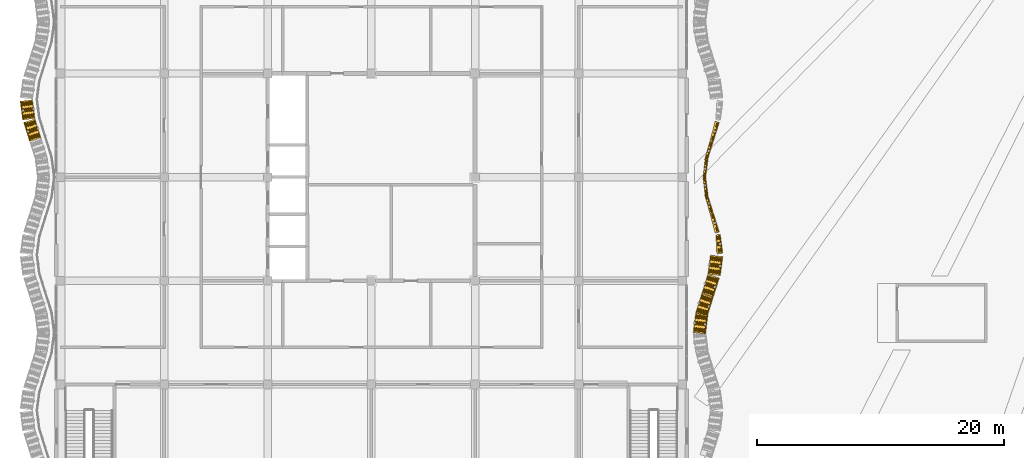
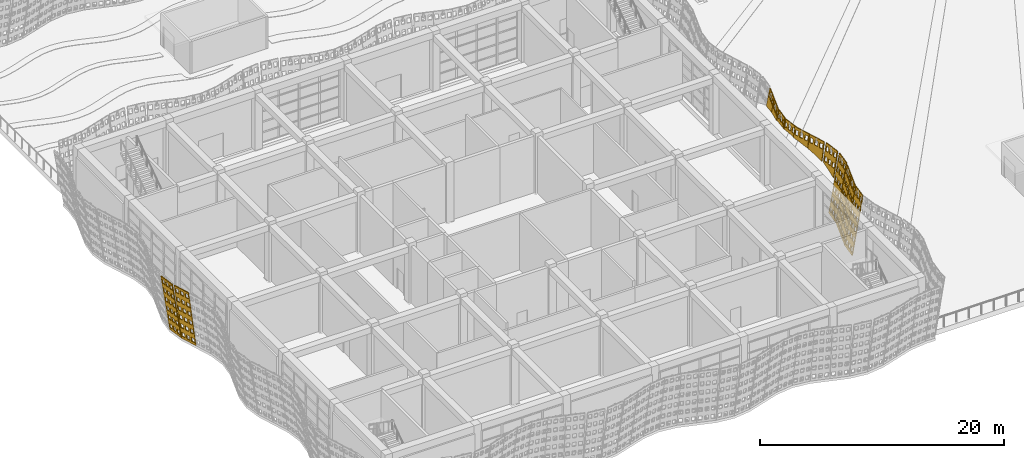
# One storey, part 156 of 210: 13 coverings.
"""IFC4 building model written with IfcOpenShell, lengths in metres."""

from ifc_helpers import new_model, si_unit, direction, frame, origin, place, context, subcontext, project, spatial, polyline, outline, extrude, material, layer, layer_set, type_object, element, save


model = new_model("IFC4")

# Units and contexts
model_context = context("Model", 3, precision=1e-05, world=origin(), true_north=direction((0.0, 1.0)))
body_context = subcontext(model_context, "Body", "Model", "MODEL_VIEW")
ifc_project = project(units=[si_unit("LENGTHUNIT", "METRE"), si_unit("AREAUNIT", "SQUARE_METRE"), si_unit("VOLUMEUNIT", "CUBIC_METRE"), si_unit("PLANEANGLEUNIT", "RADIAN"), si_unit("MASSUNIT", "GRAM", prefix="KILO")], contexts=[model_context])

# Site, building, storey
site_placement = place(None, origin())
site = spatial("IfcSite", under=ifc_project, at=site_placement, CompositionType="ELEMENT")
building_placement = place(site_placement, origin())
building = spatial("IfcBuilding", under=site, at=building_placement, Name="Rain Tree Exposition and Congress Centre", CompositionType="ELEMENT")
storey_placement = place(building_placement, origin())
storey = spatial("IfcBuildingStorey", under=building, at=storey_placement, Name="L00", CompositionType="ELEMENT", Elevation=0.0)

# Coverings
ifc_material = material(Name="Perforated terracotta", Category="masonry")
ifc_layer = layer(ifc_material, 0.080078125)
ifc_layer_set = layer_set([ifc_layer], Name="Perforated terracotta")
covering_type = type_object("IfcCoveringType", Name="Terracotta screen 80", PredefinedType="CLADDING", material=ifc_layer_set)
covering_1_placement = place(storey_placement, frame((51.35009765625, 12.60009765625, 0.0), z_axis=(-0.978899688033, 0.125030801275, 0.161625182136), x_axis=(-0.126696580272, -0.991941518713, 0.0)))
element("IfcCovering", 1, at=covering_1_placement, inside=storey, type_object=covering_type, Name="wing/screen/L00/043", PredefinedType="CLADDING", context=body_context, shape_type="SweptSolid", body=[
    extrude(outline(polyline([(-0.014892578125, 5.813720703125), (-0.014892578125, 0.0), (-1.5732421875, 0.0), (-1.5732421875, 5.813720703125), (-0.014892578125, 5.813720703125)]), holes=[polyline([(-0.11376953125, 0.25), (-0.11376953125, 0.718994140625), (-0.435791015625, 0.718994140625), (-0.435791015625, 0.25), (-0.11376953125, 0.25)]), polyline([(-0.11376953125, 1.218994140625), (-0.11376953125, 1.687744140625), (-0.435791015625, 1.687744140625), (-0.435791015625, 1.218994140625), (-0.11376953125, 1.218994140625)]), polyline([(-0.11376953125, 2.18798828125), (-0.11376953125, 2.65673828125), (-0.435791015625, 2.65673828125), (-0.435791015625, 2.18798828125), (-0.11376953125, 2.18798828125)]), polyline([(-0.11376953125, 3.15673828125), (-0.11376953125, 3.625732421875), (-0.435791015625, 3.625732421875), (-0.435791015625, 3.15673828125), (-0.11376953125, 3.15673828125)]), polyline([(-0.11376953125, 4.125732421875), (-0.11376953125, 4.594482421875), (-0.435791015625, 4.594482421875), (-0.435791015625, 4.125732421875), (-0.11376953125, 4.125732421875)]), polyline([(-0.11376953125, 5.0947265625), (-0.11376953125, 5.5634765625), (-0.435791015625, 5.5634765625), (-0.435791015625, 5.0947265625), (-0.11376953125, 5.0947265625)]), polyline([(-0.633056640625, 0.25), (-0.633056640625, 0.718994140625), (-0.955078125, 0.718994140625), (-0.955078125, 0.25), (-0.633056640625, 0.25)]), polyline([(-0.633056640625, 1.218994140625), (-0.633056640625, 1.687744140625), (-0.955078125, 1.687744140625), (-0.955078125, 1.218994140625), (-0.633056640625, 1.218994140625)]), polyline([(-0.633056640625, 2.18798828125), (-0.633056640625, 2.65673828125), (-0.955078125, 2.65673828125), (-0.955078125, 2.18798828125), (-0.633056640625, 2.18798828125)]), polyline([(-0.633056640625, 3.15673828125), (-0.633056640625, 3.625732421875), (-0.955078125, 3.625732421875), (-0.955078125, 3.15673828125), (-0.633056640625, 3.15673828125)]), polyline([(-0.633056640625, 4.125732421875), (-0.633056640625, 4.594482421875), (-0.955078125, 4.594482421875), (-0.955078125, 4.125732421875), (-0.633056640625, 4.125732421875)]), polyline([(-0.633056640625, 5.0947265625), (-0.633056640625, 5.5634765625), (-0.955078125, 5.5634765625), (-0.955078125, 5.0947265625), (-0.633056640625, 5.0947265625)]), polyline([(-1.152587890625, 0.25), (-1.152587890625, 0.718994140625), (-1.474609375, 0.718994140625), (-1.474609375, 0.25), (-1.152587890625, 0.25)]), polyline([(-1.152587890625, 1.218994140625), (-1.152587890625, 1.687744140625), (-1.474609375, 1.687744140625), (-1.474609375, 1.218994140625), (-1.152587890625, 1.218994140625)]), polyline([(-1.152587890625, 2.18798828125), (-1.152587890625, 2.65673828125), (-1.474609375, 2.65673828125), (-1.474609375, 2.18798828125), (-1.152587890625, 2.18798828125)]), polyline([(-1.152587890625, 3.15673828125), (-1.152587890625, 3.625732421875), (-1.474609375, 3.625732421875), (-1.474609375, 3.15673828125), (-1.152587890625, 3.15673828125)]), polyline([(-1.152587890625, 4.125732421875), (-1.152587890625, 4.594482421875), (-1.474609375, 4.594482421875), (-1.474609375, 4.125732421875), (-1.152587890625, 4.125732421875)]), polyline([(-1.152587890625, 5.0947265625), (-1.152587890625, 5.5634765625), (-1.474609375, 5.5634765625), (-1.474609375, 5.0947265625), (-1.152587890625, 5.0947265625)])]), origin(), (0.0, 0.0, 1.0), 0.080078125),
])
covering_2_placement = place(storey_placement, frame((51.554931640625, 14.175048828125, 0.0), z_axis=(-0.942480618158, 0.295859611525, 0.155555053482), x_axis=(-0.29950542383, -0.954094597562, 0.0)))
element("IfcCovering", 2, at=covering_2_placement, inside=storey, type_object=covering_type, Name="wing/screen/L00/044", PredefinedType="CLADDING", context=body_context, shape_type="SweptSolid", body=[
    extrude(outline(polyline([(-0.014892578125, 5.808349609375), (-0.014892578125, 0.0), (-1.635986328125, 0.0), (-1.635986328125, 5.808349609375), (-0.014892578125, 5.808349609375)]), holes=[polyline([(-0.11767578125, 0.249755859375), (-0.11767578125, 0.71826171875), (-0.45263671875, 0.71826171875), (-0.45263671875, 0.249755859375), (-0.11767578125, 0.249755859375)]), polyline([(-0.11767578125, 1.218017578125), (-0.11767578125, 1.686279296875), (-0.45263671875, 1.686279296875), (-0.45263671875, 1.218017578125), (-0.11767578125, 1.218017578125)]), polyline([(-0.11767578125, 2.18603515625), (-0.11767578125, 2.654296875), (-0.45263671875, 2.654296875), (-0.45263671875, 2.18603515625), (-0.11767578125, 2.18603515625)]), polyline([(-0.11767578125, 3.154052734375), (-0.11767578125, 3.62255859375), (-0.45263671875, 3.62255859375), (-0.45263671875, 3.154052734375), (-0.11767578125, 3.154052734375)]), polyline([(-0.11767578125, 4.1220703125), (-0.11767578125, 4.590576171875), (-0.45263671875, 4.590576171875), (-0.45263671875, 4.1220703125), (-0.11767578125, 4.1220703125)]), polyline([(-0.11767578125, 5.090087890625), (-0.11767578125, 5.55859375), (-0.45263671875, 5.55859375), (-0.45263671875, 5.090087890625), (-0.11767578125, 5.090087890625)]), polyline([(-0.657958984375, 0.249755859375), (-0.657958984375, 0.71826171875), (-0.992919921875, 0.71826171875), (-0.992919921875, 0.249755859375), (-0.657958984375, 0.249755859375)]), polyline([(-0.657958984375, 1.218017578125), (-0.657958984375, 1.686279296875), (-0.992919921875, 1.686279296875), (-0.992919921875, 1.218017578125), (-0.657958984375, 1.218017578125)]), polyline([(-0.657958984375, 2.18603515625), (-0.657958984375, 2.654296875), (-0.992919921875, 2.654296875), (-0.992919921875, 2.18603515625), (-0.657958984375, 2.18603515625)]), polyline([(-0.657958984375, 3.154052734375), (-0.657958984375, 3.62255859375), (-0.992919921875, 3.62255859375), (-0.992919921875, 3.154052734375), (-0.657958984375, 3.154052734375)]), polyline([(-0.657958984375, 4.1220703125), (-0.657958984375, 4.590576171875), (-0.992919921875, 4.590576171875), (-0.992919921875, 4.1220703125), (-0.657958984375, 4.1220703125)]), polyline([(-0.657958984375, 5.090087890625), (-0.657958984375, 5.55859375), (-0.992919921875, 5.55859375), (-0.992919921875, 5.090087890625), (-0.657958984375, 5.090087890625)]), polyline([(-1.1982421875, 0.249755859375), (-1.1982421875, 0.71826171875), (-1.533203125, 0.71826171875), (-1.533203125, 0.249755859375), (-1.1982421875, 0.249755859375)]), polyline([(-1.1982421875, 1.218017578125), (-1.1982421875, 1.686279296875), (-1.533203125, 1.686279296875), (-1.533203125, 1.218017578125), (-1.1982421875, 1.218017578125)]), polyline([(-1.1982421875, 2.18603515625), (-1.1982421875, 2.654296875), (-1.533203125, 2.654296875), (-1.533203125, 2.18603515625), (-1.1982421875, 2.18603515625)]), polyline([(-1.1982421875, 3.154052734375), (-1.1982421875, 3.62255859375), (-1.533203125, 3.62255859375), (-1.533203125, 3.154052734375), (-1.1982421875, 3.154052734375)]), polyline([(-1.1982421875, 4.1220703125), (-1.1982421875, 4.590576171875), (-1.533203125, 4.590576171875), (-1.533203125, 4.1220703125), (-1.1982421875, 4.1220703125)]), polyline([(-1.1982421875, 5.090087890625), (-1.1982421875, 5.55859375), (-1.533203125, 5.55859375), (-1.533203125, 5.090087890625), (-1.1982421875, 5.090087890625)])]), origin(), (0.0, 0.0, 1.0), 0.080078125),
])
covering_3_placement = place(storey_placement, frame((52.050048828125, 15.75, 0.0), z_axis=(-0.942480618158, 0.295859611525, 0.155555053482), x_axis=(-0.29950542383, -0.954094597562, 0.0)))
element("IfcCovering", 3, at=covering_3_placement, inside=storey, type_object=covering_type, Name="wing/screen/L00/045", PredefinedType="CLADDING", context=body_context, shape_type="SweptSolid", body=[
    extrude(outline(polyline([(-0.014892578125, 5.808349609375), (-0.014892578125, 0.0), (-1.62890625, 0.0), (-1.62890625, 5.808349609375), (-0.014892578125, 5.808349609375)]), holes=[polyline([(-0.1171875, 0.249755859375), (-0.1171875, 0.71826171875), (-0.45068359375, 0.71826171875), (-0.45068359375, 0.249755859375), (-0.1171875, 0.249755859375)]), polyline([(-0.1171875, 1.218017578125), (-0.1171875, 1.686279296875), (-0.45068359375, 1.686279296875), (-0.45068359375, 1.218017578125), (-0.1171875, 1.218017578125)]), polyline([(-0.1171875, 2.18603515625), (-0.1171875, 2.654296875), (-0.45068359375, 2.654296875), (-0.45068359375, 2.18603515625), (-0.1171875, 2.18603515625)]), polyline([(-0.1171875, 3.154052734375), (-0.1171875, 3.62255859375), (-0.45068359375, 3.62255859375), (-0.45068359375, 3.154052734375), (-0.1171875, 3.154052734375)]), polyline([(-0.1171875, 4.1220703125), (-0.1171875, 4.590576171875), (-0.45068359375, 4.590576171875), (-0.45068359375, 4.1220703125), (-0.1171875, 4.1220703125)]), polyline([(-0.1171875, 5.090087890625), (-0.1171875, 5.55859375), (-0.45068359375, 5.55859375), (-0.45068359375, 5.090087890625), (-0.1171875, 5.090087890625)]), polyline([(-0.6552734375, 0.249755859375), (-0.6552734375, 0.71826171875), (-0.98876953125, 0.71826171875), (-0.98876953125, 0.249755859375), (-0.6552734375, 0.249755859375)]), polyline([(-0.6552734375, 1.218017578125), (-0.6552734375, 1.686279296875), (-0.98876953125, 1.686279296875), (-0.98876953125, 1.218017578125), (-0.6552734375, 1.218017578125)]), polyline([(-0.6552734375, 2.18603515625), (-0.6552734375, 2.654296875), (-0.98876953125, 2.654296875), (-0.98876953125, 2.18603515625), (-0.6552734375, 2.18603515625)]), polyline([(-0.6552734375, 3.154052734375), (-0.6552734375, 3.62255859375), (-0.98876953125, 3.62255859375), (-0.98876953125, 3.154052734375), (-0.6552734375, 3.154052734375)]), polyline([(-0.6552734375, 4.1220703125), (-0.6552734375, 4.590576171875), (-0.98876953125, 4.590576171875), (-0.98876953125, 4.1220703125), (-0.6552734375, 4.1220703125)]), polyline([(-0.6552734375, 5.090087890625), (-0.6552734375, 5.55859375), (-0.98876953125, 5.55859375), (-0.98876953125, 5.090087890625), (-0.6552734375, 5.090087890625)]), polyline([(-1.193115234375, 0.249755859375), (-1.193115234375, 0.71826171875), (-1.526611328125, 0.71826171875), (-1.526611328125, 0.249755859375), (-1.193115234375, 0.249755859375)]), polyline([(-1.193115234375, 1.218017578125), (-1.193115234375, 1.686279296875), (-1.526611328125, 1.686279296875), (-1.526611328125, 1.218017578125), (-1.193115234375, 1.218017578125)]), polyline([(-1.193115234375, 2.18603515625), (-1.193115234375, 2.654296875), (-1.526611328125, 2.654296875), (-1.526611328125, 2.18603515625), (-1.193115234375, 2.18603515625)]), polyline([(-1.193115234375, 3.154052734375), (-1.193115234375, 3.62255859375), (-1.526611328125, 3.62255859375), (-1.526611328125, 3.154052734375), (-1.193115234375, 3.154052734375)]), polyline([(-1.193115234375, 4.1220703125), (-1.193115234375, 4.590576171875), (-1.526611328125, 4.590576171875), (-1.526611328125, 4.1220703125), (-1.193115234375, 4.1220703125)]), polyline([(-1.193115234375, 5.090087890625), (-1.193115234375, 5.55859375), (-1.526611328125, 5.55859375), (-1.526611328125, 5.090087890625), (-1.193115234375, 5.090087890625)])]), origin(), (0.0, 0.0, 1.0), 0.080078125),
])
covering_4_placement = place(storey_placement, frame((52.544921875, 17.324951171875, 0.0), z_axis=(-0.978391994594, 0.12841394929, 0.162046174105), x_axis=(-0.130133906157, -0.991496427865, 0.0)))
element("IfcCovering", 4, at=covering_4_placement, inside=storey, type_object=covering_type, Name="wing/screen/L00/046", PredefinedType="CLADDING", context=body_context, shape_type="SweptSolid", body=[
    extrude(outline(polyline([(-0.02197265625, 5.813720703125), (-0.02197265625, 0.0), (-1.56298828125, 0.0), (-1.56298828125, 5.813720703125), (-0.02197265625, 5.813720703125)]), holes=[polyline([(-0.11962890625, 0.25), (-0.11962890625, 0.718994140625), (-0.43798828125, 0.718994140625), (-0.43798828125, 0.25), (-0.11962890625, 0.25)]), polyline([(-0.11962890625, 1.218994140625), (-0.11962890625, 1.687744140625), (-0.43798828125, 1.687744140625), (-0.43798828125, 1.218994140625), (-0.11962890625, 1.218994140625)]), polyline([(-0.11962890625, 2.18798828125), (-0.11962890625, 2.65673828125), (-0.43798828125, 2.65673828125), (-0.43798828125, 2.18798828125), (-0.11962890625, 2.18798828125)]), polyline([(-0.11962890625, 3.15673828125), (-0.11962890625, 3.625732421875), (-0.43798828125, 3.625732421875), (-0.43798828125, 3.15673828125), (-0.11962890625, 3.15673828125)]), polyline([(-0.11962890625, 4.125732421875), (-0.11962890625, 4.594482421875), (-0.43798828125, 4.594482421875), (-0.43798828125, 4.125732421875), (-0.11962890625, 4.125732421875)]), polyline([(-0.11962890625, 5.0947265625), (-0.11962890625, 5.5634765625), (-0.43798828125, 5.5634765625), (-0.43798828125, 5.0947265625), (-0.11962890625, 5.0947265625)]), polyline([(-0.63330078125, 0.25), (-0.63330078125, 0.718994140625), (-0.95166015625, 0.718994140625), (-0.95166015625, 0.25), (-0.63330078125, 0.25)]), polyline([(-0.63330078125, 1.218994140625), (-0.63330078125, 1.687744140625), (-0.95166015625, 1.687744140625), (-0.95166015625, 1.218994140625), (-0.63330078125, 1.218994140625)]), polyline([(-0.63330078125, 2.18798828125), (-0.63330078125, 2.65673828125), (-0.95166015625, 2.65673828125), (-0.95166015625, 2.18798828125), (-0.63330078125, 2.18798828125)]), polyline([(-0.63330078125, 3.15673828125), (-0.63330078125, 3.625732421875), (-0.95166015625, 3.625732421875), (-0.95166015625, 3.15673828125), (-0.63330078125, 3.15673828125)]), polyline([(-0.63330078125, 4.125732421875), (-0.63330078125, 4.594482421875), (-0.95166015625, 4.594482421875), (-0.95166015625, 4.125732421875), (-0.63330078125, 4.125732421875)]), polyline([(-0.63330078125, 5.0947265625), (-0.63330078125, 5.5634765625), (-0.95166015625, 5.5634765625), (-0.95166015625, 5.0947265625), (-0.63330078125, 5.0947265625)]), polyline([(-1.146728515625, 0.25), (-1.146728515625, 0.718994140625), (-1.46533203125, 0.718994140625), (-1.46533203125, 0.25), (-1.146728515625, 0.25)]), polyline([(-1.146728515625, 1.218994140625), (-1.146728515625, 1.687744140625), (-1.46533203125, 1.687744140625), (-1.46533203125, 1.218994140625), (-1.146728515625, 1.218994140625)]), polyline([(-1.146728515625, 2.18798828125), (-1.146728515625, 2.65673828125), (-1.46533203125, 2.65673828125), (-1.46533203125, 2.18798828125), (-1.146728515625, 2.18798828125)]), polyline([(-1.146728515625, 3.15673828125), (-1.146728515625, 3.625732421875), (-1.46533203125, 3.625732421875), (-1.46533203125, 3.15673828125), (-1.146728515625, 3.15673828125)]), polyline([(-1.146728515625, 4.125732421875), (-1.146728515625, 4.594482421875), (-1.46533203125, 4.594482421875), (-1.46533203125, 4.125732421875), (-1.146728515625, 4.125732421875)]), polyline([(-1.146728515625, 5.0947265625), (-1.146728515625, 5.5634765625), (-1.46533203125, 5.5634765625), (-1.46533203125, 5.0947265625), (-1.146728515625, 5.0947265625)])]), origin(), (0.0, 0.0, 1.0), 0.079833984375),
])
covering_5_placement = place(storey_placement, frame((52.75, 18.89990234375, 0.0), z_axis=(-0.978899688033, -0.125030801275, 0.161625182136), x_axis=(0.126696580272, -0.991941518713, 0.0)))
element("IfcCovering", 5, at=covering_5_placement, inside=storey, type_object=covering_type, Name="wing/screen/L00/047", PredefinedType="CLADDING", context=body_context, shape_type="SweptSolid", body=[
    extrude(outline(polyline([(-1.56640625, 5.813720703125), (-0.025390625, 5.813720703125), (-0.025390625, 3.280517578125), (-0.794189453125, 3.66064453125), (-1.56640625, 3.981689453125), (-1.56640625, 5.813720703125)]), holes=[polyline([(-0.123046875, 4.125732421875), (-0.123046875, 4.594482421875), (-0.44140625, 4.594482421875), (-0.44140625, 4.125732421875), (-0.123046875, 4.125732421875)]), polyline([(-0.123046875, 5.0947265625), (-0.123046875, 5.5634765625), (-0.44140625, 5.5634765625), (-0.44140625, 5.0947265625), (-0.123046875, 5.0947265625)]), polyline([(-0.63671875, 4.125732421875), (-0.63671875, 4.594482421875), (-0.955078125, 4.594482421875), (-0.955078125, 4.125732421875), (-0.63671875, 4.125732421875)]), polyline([(-0.63671875, 5.0947265625), (-0.63671875, 5.5634765625), (-0.955078125, 5.5634765625), (-0.955078125, 5.0947265625), (-0.63671875, 5.0947265625)]), polyline([(-1.150146484375, 4.125732421875), (-1.150146484375, 4.594482421875), (-1.46875, 4.594482421875), (-1.46875, 4.125732421875), (-1.150146484375, 4.125732421875)]), polyline([(-1.150146484375, 5.0947265625), (-1.150146484375, 5.5634765625), (-1.46875, 5.5634765625), (-1.46875, 5.0947265625), (-1.150146484375, 5.0947265625)])]), origin(), (0.0, 0.0, 1.0), 0.080078125),
])
covering_6_placement = place(storey_placement, frame((52.544921875, 20.47509765625, 0.0), z_axis=(-0.942480618158, -0.295859611525, 0.155555053482), x_axis=(0.29950542383, -0.954094597562, 0.0)))
element("IfcCovering", 6, at=covering_6_placement, inside=storey, type_object=covering_type, Name="wing/screen/L00/048", PredefinedType="CLADDING", context=body_context, shape_type="SweptSolid", body=[
    extrude(outline(polyline([(-1.635986328125, 5.808349609375), (-0.02197265625, 5.808349609375), (-0.02197265625, 3.994384765625), (-0.825439453125, 4.259765625), (-1.635986328125, 4.474853515625), (-1.635986328125, 5.808349609375)]), holes=[polyline([(-0.124267578125, 5.090087890625), (-0.124267578125, 5.55859375), (-0.457763671875, 5.55859375), (-0.457763671875, 5.090087890625), (-0.124267578125, 5.090087890625)]), polyline([(-0.662109375, 5.090087890625), (-0.662109375, 5.55859375), (-0.995849609375, 5.55859375), (-0.995849609375, 5.090087890625), (-0.662109375, 5.090087890625)]), polyline([(-1.2001953125, 5.090087890625), (-1.2001953125, 5.55859375), (-1.53369140625, 5.55859375), (-1.53369140625, 5.090087890625), (-1.2001953125, 5.090087890625)])]), origin(), (0.0, 0.0, 1.0), 0.080078125),
])
covering_7_placement = place(storey_placement, frame((52.050048828125, 22.050048828125, 0.0), z_axis=(-0.942480618158, -0.295859611525, 0.155555053482), x_axis=(0.29950542383, -0.954094597562, 0.0)))
element("IfcCovering", 7, at=covering_7_placement, inside=storey, type_object=covering_type, Name="wing/screen/L00/049", PredefinedType="CLADDING", context=body_context, shape_type="SweptSolid", body=[
    extrude(outline(polyline([(-1.635986328125, 5.808349609375), (-0.014892578125, 5.808349609375), (-0.014892578125, 4.481689453125), (-0.825439453125, 4.646484375), (-1.635986328125, 4.762939453125), (-1.635986328125, 5.808349609375)]), holes=[polyline([(-0.11767578125, 5.090087890625), (-0.11767578125, 5.55859375), (-0.45263671875, 5.55859375), (-0.45263671875, 5.090087890625), (-0.11767578125, 5.090087890625)]), polyline([(-0.657958984375, 5.090087890625), (-0.657958984375, 5.55859375), (-0.992919921875, 5.55859375), (-0.992919921875, 5.090087890625), (-0.657958984375, 5.090087890625)]), polyline([(-1.1982421875, 5.090087890625), (-1.1982421875, 5.55859375), (-1.533203125, 5.55859375), (-1.533203125, 5.090087890625), (-1.1982421875, 5.090087890625)])]), origin(), (0.0, 0.0, 1.0), 0.080078125),
])
covering_8_placement = place(storey_placement, frame((51.554931640625, 23.625, 0.0), z_axis=(-0.978391994594, -0.12841394929, 0.162046174105), x_axis=(0.130133906157, -0.991496427865, 0.0)))
element("IfcCovering", 8, at=covering_8_placement, inside=storey, type_object=covering_type, Name="wing/screen/L00/050", PredefinedType="CLADDING", context=body_context, shape_type="SweptSolid", body=[
    extrude(outline(polyline([(-1.5732421875, 5.813720703125), (-0.014892578125, 5.813720703125), (-0.014892578125, 4.771240234375), (-0.794189453125, 4.840576171875), (-1.5732421875, 4.863525390625), (-1.5732421875, 5.813720703125)]), holes=[polyline([(-0.11376953125, 5.0947265625), (-0.11376953125, 5.5634765625), (-0.435791015625, 5.5634765625), (-0.435791015625, 5.0947265625), (-0.11376953125, 5.0947265625)]), polyline([(-0.633056640625, 5.0947265625), (-0.633056640625, 5.5634765625), (-0.955078125, 5.5634765625), (-0.955078125, 5.0947265625), (-0.633056640625, 5.0947265625)]), polyline([(-1.152587890625, 5.0947265625), (-1.152587890625, 5.5634765625), (-1.474609375, 5.5634765625), (-1.474609375, 5.0947265625), (-1.152587890625, 5.0947265625)])]), origin(), (0.0, 0.0, 1.0), 0.079833984375),
])
covering_9_placement = place(storey_placement, frame((51.35009765625, 25.199951171875, 0.0), z_axis=(-0.978522114732, 0.1280309309, 0.161562841373), x_axis=(-0.129735338481, -0.991548658387, 0.0)))
element("IfcCovering", 9, at=covering_9_placement, inside=storey, type_object=covering_type, Name="wing/screen/L00/051", PredefinedType="CLADDING", context=body_context, shape_type="SweptSolid", body=[
    extrude(outline(polyline([(-1.5732421875, 5.813720703125), (-0.014892578125, 5.813720703125), (-0.014892578125, 4.863525390625), (-0.794189453125, 4.840576171875), (-1.5732421875, 4.771240234375), (-1.5732421875, 5.813720703125)]), holes=[polyline([(-0.11376953125, 5.0947265625), (-0.11376953125, 5.5634765625), (-0.435791015625, 5.5634765625), (-0.435791015625, 5.0947265625), (-0.11376953125, 5.0947265625)]), polyline([(-0.633056640625, 5.0947265625), (-0.633056640625, 5.5634765625), (-0.955078125, 5.5634765625), (-0.955078125, 5.0947265625), (-0.633056640625, 5.0947265625)]), polyline([(-1.152587890625, 5.0947265625), (-1.152587890625, 5.5634765625), (-1.474609375, 5.5634765625), (-1.474609375, 5.0947265625), (-1.152587890625, 5.0947265625)])]), origin(), (0.0, 0.0, 1.0), 0.080078125),
])
covering_10_placement = place(storey_placement, frame((51.554931640625, 26.77490234375, 0.0), z_axis=(-0.942480618158, 0.295859611525, 0.155555053482), x_axis=(-0.29950542383, -0.954094597562, 0.0)))
element("IfcCovering", 10, at=covering_10_placement, inside=storey, type_object=covering_type, Name="wing/screen/L00/052", PredefinedType="CLADDING", context=body_context, shape_type="SweptSolid", body=[
    extrude(outline(polyline([(-1.635986328125, 5.808349609375), (-0.014892578125, 5.808349609375), (-0.014892578125, 4.762939453125), (-0.825439453125, 4.646484375), (-1.635986328125, 4.481689453125), (-1.635986328125, 5.808349609375)]), holes=[polyline([(-0.11767578125, 5.090087890625), (-0.11767578125, 5.55859375), (-0.45263671875, 5.55859375), (-0.45263671875, 5.090087890625), (-0.11767578125, 5.090087890625)]), polyline([(-0.657958984375, 5.090087890625), (-0.657958984375, 5.55859375), (-0.992919921875, 5.55859375), (-0.992919921875, 5.090087890625), (-0.657958984375, 5.090087890625)]), polyline([(-1.1982421875, 5.090087890625), (-1.1982421875, 5.55859375), (-1.533203125, 5.55859375), (-1.533203125, 5.090087890625), (-1.1982421875, 5.090087890625)])]), origin(), (0.0, 0.0, 1.0), 0.080078125),
])
covering_11_placement = place(storey_placement, frame((52.050048828125, 28.35009765625, 0.0), z_axis=(-0.942480618158, 0.295859611525, 0.155555053482), x_axis=(-0.29950542383, -0.954094597562, 0.0)))
element("IfcCovering", 11, at=covering_11_placement, inside=storey, type_object=covering_type, Name="wing/screen/L00/053", PredefinedType="CLADDING", context=body_context, shape_type="SweptSolid", body=[
    extrude(outline(polyline([(-1.62890625, 5.808349609375), (-0.014892578125, 5.808349609375), (-0.014892578125, 4.474853515625), (-0.825439453125, 4.259765625), (-1.62890625, 3.994384765625), (-1.62890625, 5.808349609375)]), holes=[polyline([(-0.1171875, 5.090087890625), (-0.1171875, 5.55859375), (-0.45068359375, 5.55859375), (-0.45068359375, 5.090087890625), (-0.1171875, 5.090087890625)]), polyline([(-0.6552734375, 5.090087890625), (-0.6552734375, 5.55859375), (-0.98876953125, 5.55859375), (-0.98876953125, 5.090087890625), (-0.6552734375, 5.090087890625)]), polyline([(-1.193115234375, 5.090087890625), (-1.193115234375, 5.55859375), (-1.526611328125, 5.55859375), (-1.526611328125, 5.090087890625), (-1.193115234375, 5.090087890625)])]), origin(), (0.0, 0.0, 1.0), 0.080078125),
])
covering_12_placement = place(storey_placement, frame((-2.35009765625, 31.5, 0.0), z_axis=(0.978522114732, 0.1280309309, 0.161562841373), x_axis=(-0.129735338481, 0.991548658387, 0.0)))
element("IfcCovering", 12, at=covering_12_placement, inside=storey, type_object=covering_type, Name="wing/screen/L00/115", PredefinedType="CLADDING", context=body_context, shape_type="SweptSolid", body=[
    extrude(outline(polyline([(-1.56640625, 0.0), (-1.56640625, 5.813720703125), (-0.025390625, 5.813720703125), (-0.025390625, 0.0), (-1.56640625, 0.0)]), holes=[polyline([(-0.123046875, 0.25), (-0.123046875, 0.718994140625), (-0.44140625, 0.718994140625), (-0.44140625, 0.25), (-0.123046875, 0.25)]), polyline([(-0.123046875, 1.218994140625), (-0.123046875, 1.687744140625), (-0.44140625, 1.687744140625), (-0.44140625, 1.218994140625), (-0.123046875, 1.218994140625)]), polyline([(-0.123046875, 2.18798828125), (-0.123046875, 2.65673828125), (-0.44140625, 2.65673828125), (-0.44140625, 2.18798828125), (-0.123046875, 2.18798828125)]), polyline([(-0.123046875, 3.15673828125), (-0.123046875, 3.625732421875), (-0.44140625, 3.625732421875), (-0.44140625, 3.15673828125), (-0.123046875, 3.15673828125)]), polyline([(-0.123046875, 4.125732421875), (-0.123046875, 4.594482421875), (-0.44140625, 4.594482421875), (-0.44140625, 4.125732421875), (-0.123046875, 4.125732421875)]), polyline([(-0.123046875, 5.0947265625), (-0.123046875, 5.5634765625), (-0.44140625, 5.5634765625), (-0.44140625, 5.0947265625), (-0.123046875, 5.0947265625)]), polyline([(-0.63671875, 0.25), (-0.63671875, 0.718994140625), (-0.955078125, 0.718994140625), (-0.955078125, 0.25), (-0.63671875, 0.25)]), polyline([(-0.63671875, 1.218994140625), (-0.63671875, 1.687744140625), (-0.955078125, 1.687744140625), (-0.955078125, 1.218994140625), (-0.63671875, 1.218994140625)]), polyline([(-0.63671875, 2.18798828125), (-0.63671875, 2.65673828125), (-0.955078125, 2.65673828125), (-0.955078125, 2.18798828125), (-0.63671875, 2.18798828125)]), polyline([(-0.63671875, 3.15673828125), (-0.63671875, 3.625732421875), (-0.955078125, 3.625732421875), (-0.955078125, 3.15673828125), (-0.63671875, 3.15673828125)]), polyline([(-0.63671875, 4.125732421875), (-0.63671875, 4.594482421875), (-0.955078125, 4.594482421875), (-0.955078125, 4.125732421875), (-0.63671875, 4.125732421875)]), polyline([(-0.63671875, 5.0947265625), (-0.63671875, 5.5634765625), (-0.955078125, 5.5634765625), (-0.955078125, 5.0947265625), (-0.63671875, 5.0947265625)]), polyline([(-1.150146484375, 0.25), (-1.150146484375, 0.718994140625), (-1.46875, 0.718994140625), (-1.46875, 0.25), (-1.150146484375, 0.25)]), polyline([(-1.150146484375, 1.218994140625), (-1.150146484375, 1.687744140625), (-1.46875, 1.687744140625), (-1.46875, 1.218994140625), (-1.150146484375, 1.218994140625)]), polyline([(-1.150146484375, 2.18798828125), (-1.150146484375, 2.65673828125), (-1.46875, 2.65673828125), (-1.46875, 2.18798828125), (-1.150146484375, 2.18798828125)]), polyline([(-1.150146484375, 3.15673828125), (-1.150146484375, 3.625732421875), (-1.46875, 3.625732421875), (-1.46875, 3.15673828125), (-1.150146484375, 3.15673828125)]), polyline([(-1.150146484375, 4.125732421875), (-1.150146484375, 4.594482421875), (-1.46875, 4.594482421875), (-1.46875, 4.125732421875), (-1.150146484375, 4.125732421875)]), polyline([(-1.150146484375, 5.0947265625), (-1.150146484375, 5.5634765625), (-1.46875, 5.5634765625), (-1.46875, 5.0947265625), (-1.150146484375, 5.0947265625)])]), origin(), (0.0, 0.0, 1.0), 0.080078125),
])
covering_13_placement = place(storey_placement, frame((-2.14501953125, 29.925048828125, 0.0), z_axis=(0.942480618158, 0.295859611525, 0.155555053482), x_axis=(-0.29950542383, 0.954094597562, 0.0)))
element("IfcCovering", 13, at=covering_13_placement, inside=storey, type_object=covering_type, Name="wing/screen/L00/116", PredefinedType="CLADDING", context=body_context, shape_type="SweptSolid", body=[
    extrude(outline(polyline([(-1.635986328125, 0.0), (-1.635986328125, 5.808349609375), (-0.02197265625, 5.808349609375), (-0.02197265625, 0.0), (-1.635986328125, 0.0)]), holes=[polyline([(-0.124267578125, 0.249755859375), (-0.124267578125, 0.71826171875), (-0.457763671875, 0.71826171875), (-0.457763671875, 0.249755859375), (-0.124267578125, 0.249755859375)]), polyline([(-0.124267578125, 1.218017578125), (-0.124267578125, 1.686279296875), (-0.457763671875, 1.686279296875), (-0.457763671875, 1.218017578125), (-0.124267578125, 1.218017578125)]), polyline([(-0.124267578125, 2.18603515625), (-0.124267578125, 2.654296875), (-0.457763671875, 2.654296875), (-0.457763671875, 2.18603515625), (-0.124267578125, 2.18603515625)]), polyline([(-0.124267578125, 3.154052734375), (-0.124267578125, 3.62255859375), (-0.457763671875, 3.62255859375), (-0.457763671875, 3.154052734375), (-0.124267578125, 3.154052734375)]), polyline([(-0.124267578125, 4.1220703125), (-0.124267578125, 4.590576171875), (-0.457763671875, 4.590576171875), (-0.457763671875, 4.1220703125), (-0.124267578125, 4.1220703125)]), polyline([(-0.124267578125, 5.090087890625), (-0.124267578125, 5.55859375), (-0.457763671875, 5.55859375), (-0.457763671875, 5.090087890625), (-0.124267578125, 5.090087890625)]), polyline([(-0.662109375, 0.249755859375), (-0.662109375, 0.71826171875), (-0.995849609375, 0.71826171875), (-0.995849609375, 0.249755859375), (-0.662109375, 0.249755859375)]), polyline([(-0.662109375, 1.218017578125), (-0.662109375, 1.686279296875), (-0.995849609375, 1.686279296875), (-0.995849609375, 1.218017578125), (-0.662109375, 1.218017578125)]), polyline([(-0.662109375, 2.18603515625), (-0.662109375, 2.654296875), (-0.995849609375, 2.654296875), (-0.995849609375, 2.18603515625), (-0.662109375, 2.18603515625)]), polyline([(-0.662109375, 3.154052734375), (-0.662109375, 3.62255859375), (-0.995849609375, 3.62255859375), (-0.995849609375, 3.154052734375), (-0.662109375, 3.154052734375)]), polyline([(-0.662109375, 4.1220703125), (-0.662109375, 4.590576171875), (-0.995849609375, 4.590576171875), (-0.995849609375, 4.1220703125), (-0.662109375, 4.1220703125)]), polyline([(-0.662109375, 5.090087890625), (-0.662109375, 5.55859375), (-0.995849609375, 5.55859375), (-0.995849609375, 5.090087890625), (-0.662109375, 5.090087890625)]), polyline([(-1.2001953125, 0.249755859375), (-1.2001953125, 0.71826171875), (-1.53369140625, 0.71826171875), (-1.53369140625, 0.249755859375), (-1.2001953125, 0.249755859375)]), polyline([(-1.2001953125, 1.218017578125), (-1.2001953125, 1.686279296875), (-1.53369140625, 1.686279296875), (-1.53369140625, 1.218017578125), (-1.2001953125, 1.218017578125)]), polyline([(-1.2001953125, 2.18603515625), (-1.2001953125, 2.654296875), (-1.53369140625, 2.654296875), (-1.53369140625, 2.18603515625), (-1.2001953125, 2.18603515625)]), polyline([(-1.2001953125, 3.154052734375), (-1.2001953125, 3.62255859375), (-1.53369140625, 3.62255859375), (-1.53369140625, 3.154052734375), (-1.2001953125, 3.154052734375)]), polyline([(-1.2001953125, 4.1220703125), (-1.2001953125, 4.590576171875), (-1.53369140625, 4.590576171875), (-1.53369140625, 4.1220703125), (-1.2001953125, 4.1220703125)]), polyline([(-1.2001953125, 5.090087890625), (-1.2001953125, 5.55859375), (-1.53369140625, 5.55859375), (-1.53369140625, 5.090087890625), (-1.2001953125, 5.090087890625)])]), origin(), (0.0, 0.0, 1.0), 0.080078125),
])

save(model, "model.ifc")
